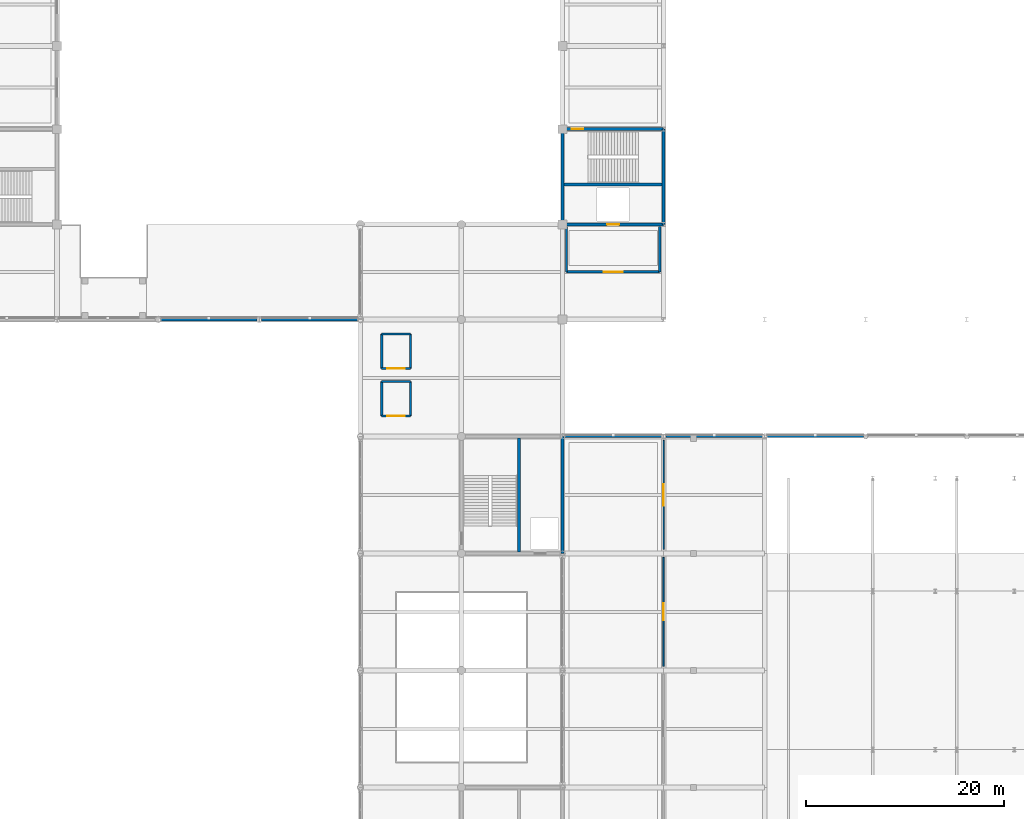
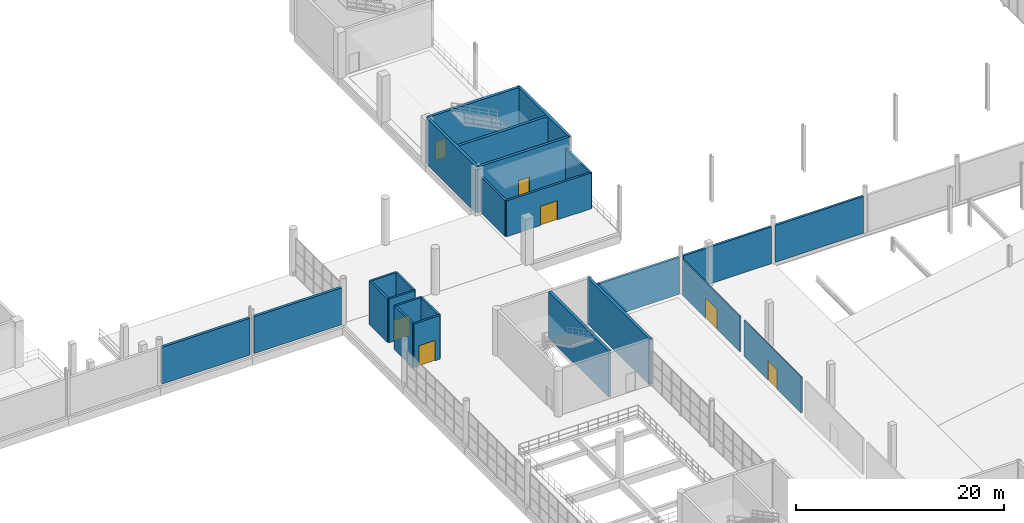
# One storey, part 135 of 175: 25 walls, 7 doors, 7 openings.
"""IFC4 building model written with IfcOpenShell, lengths in metres."""

from ifc_helpers import new_model, si_unit, direction, frame, frame_2d, origin, place, context, subcontext, project, spatial, rectangle, extrude, material, layer, layer_set, type_object, element, fill, save


model = new_model("IFC4")

# Units and contexts
model_context = context("Model", 3, precision=1e-05, world=origin(), true_north=direction((0.0, 1.0)))
body_context = subcontext(model_context, "Body", "Model", "MODEL_VIEW")
ifc_project = project(units=[si_unit("LENGTHUNIT", "METRE"), si_unit("AREAUNIT", "SQUARE_METRE"), si_unit("VOLUMEUNIT", "CUBIC_METRE"), si_unit("PLANEANGLEUNIT", "RADIAN"), si_unit("MASSUNIT", "GRAM", prefix="KILO")], contexts=[model_context])

# Site, building, storey
site_placement = place(None, origin())
site = spatial("IfcSite", under=ifc_project, at=site_placement, CompositionType="ELEMENT")
building_placement = place(site_placement, origin())
building = spatial("IfcBuilding", under=site, at=building_placement, Name="Brelvane Convention Centre", CompositionType="ELEMENT")
storey_placement = place(building_placement, frame((0.0, 0.0, 5.39990234375)))
storey = spatial("IfcBuildingStorey", under=building, at=storey_placement, Name="L01", CompositionType="ELEMENT", Elevation=5.39990234375)

# Walls
ifc_material_1 = material(Name="Concrete M40", Category="concrete")
ifc_layer_1 = layer(ifc_material_1, 0.2900390625)
ifc_layer_set_1 = layer_set([ifc_layer_1], Name="Concrete M40")
wall_type_1 = type_object("IfcWallType", Name="Exterior Wall EW-08", PredefinedType="SOLIDWALL", material=ifc_layer_set_1)
wall_1_placement = place(storey_placement, frame((122.639892578125, 99.60009765625, 0.0), z_axis=(0.0, 0.0, 1.0), x_axis=(1.0, 0.0, 0.0)))
element("IfcWall", 1, at=wall_1_placement, inside=storey, type_object=wall_type_1, Name="Exterior Wall L01 V1N-L01-13", PredefinedType="SOLIDWALL", context=body_context, shape_type="SweptSolid", body=[
    extrude(rectangle(XDim=9.72021484375, YDim=0.2900390625, at=frame_2d((4.860107421875, 0.0))), origin(), (0.0, 0.0, 1.0), 4.320068359375),
])
wall_2_placement = place(storey_placement, frame((132.840087890625, 99.60009765625, 0.0), z_axis=(0.0, 0.0, 1.0), x_axis=(1.0, 0.0, 0.0)))
element("IfcWall", 2, at=wall_2_placement, inside=storey, type_object=wall_type_1, Name="Exterior Wall L01 V1N-L01-14", PredefinedType="SOLIDWALL", context=body_context, shape_type="SweptSolid", body=[
    extrude(rectangle(XDim=9.719970703125, YDim=0.2900390625, at=frame_2d((4.85986328125, 0.0))), origin(), (0.0, 0.0, 1.0), 4.320068359375),
])
ifc_material_2 = material(Name="Concrete M40", Category="concrete")
ifc_layer_2 = layer(ifc_material_2, 0.25)
ifc_layer_set_2 = layer_set([ifc_layer_2], Name="Concrete M40")
wall_type_2 = type_object("IfcWallType", Name="Exterior Wall EW-09", PredefinedType="SOLIDWALL", material=ifc_layer_set_2)
wall_3_placement = place(storey_placement, frame((163.43994140625, 87.800048828125, 0.0), z_axis=(0.0, 0.0, 1.0), x_axis=(1.0, 0.0, 0.0)))
element("IfcWall", 3, at=wall_3_placement, inside=storey, type_object=wall_type_2, Name="Exterior Wall L01 V2N-L01-1", PredefinedType="SOLIDWALL", context=body_context, shape_type="SweptSolid", body=[
    extrude(rectangle(XDim=9.719970703125, YDim=0.25, at=frame_2d((4.85986328125, 0.0))), origin(), (0.0, 0.0, 1.0), 4.320068359375),
])
wall_4_placement = place(storey_placement, frame((173.639892578125, 87.800048828125, 0.0), z_axis=(0.0, 0.0, 1.0), x_axis=(1.0, 0.0, 0.0)))
element("IfcWall", 4, at=wall_4_placement, inside=storey, type_object=wall_type_2, Name="Exterior Wall L01 V2N-L01-2", PredefinedType="SOLIDWALL", context=body_context, shape_type="SweptSolid", body=[
    extrude(rectangle(XDim=9.72021484375, YDim=0.25, at=frame_2d((4.860107421875, 0.0))), origin(), (0.0, 0.0, 1.0), 4.320068359375),
])
wall_5_placement = place(storey_placement, frame((183.840087890625, 87.800048828125, 0.0), z_axis=(0.0, 0.0, 1.0), x_axis=(1.0, 0.0, 0.0)))
element("IfcWall", 5, at=wall_5_placement, inside=storey, type_object=wall_type_2, Name="Exterior Wall L01 V2N-L01-3", PredefinedType="SOLIDWALL", context=body_context, shape_type="SweptSolid", body=[
    extrude(rectangle(XDim=9.719970703125, YDim=0.25, at=frame_2d((4.85986328125, 0.0))), origin(), (0.0, 0.0, 1.0), 4.320068359375),
])

# Wall, opening, door
ifc_material_3 = material(Name="Concrete M40", Category="concrete")
ifc_layer_3 = layer(ifc_material_3, 0.219970703125)
ifc_layer_set_3 = layer_set([ifc_layer_3], Name="Concrete M40")
wall_type_3 = type_object("IfcWallType", Name="Interior Wall IW-FR-220", PredefinedType="PARTITIONING", material=ifc_layer_set_3)
wall_6_placement = place(storey_placement, frame((144.949951171875, 89.85009765625, 0.0), z_axis=(0.0, 0.0, 1.0), x_axis=(1.0, 0.0, 0.0)))
wall_6 = element("IfcWall", 6, at=wall_6_placement, inside=storey, type_object=wall_type_3, Name="Lift LG-01 Shaft Wall S (L01)", PredefinedType="PARTITIONING", context=body_context, shape_type="SweptSolid", body=[
    extrude(rectangle(XDim=2.900146484375, YDim=0.219970703125, at=frame_2d((1.4501953125, 0.0))), origin(), (0.0, 0.0, 1.0), 5.1201171875),
])
opening_1_placement = place(wall_6_placement, frame((0.550048828125, 0.0, 0.0)))
opening_1 = element("IfcOpeningElement", 7, at=opening_1_placement, cuts=wall_6, Name="Opening LD-04", PredefinedType="OPENING", context=body_context, shape_type="SweptSolid", body=[
    extrude(rectangle(XDim=1.800048828125, YDim=2.39990234375, at=frame_2d((0.89990234375, 1.199951171875))), frame((0.0, 0.119873046875, 0.0), z_axis=(0.0, -1.0, 0.0), x_axis=(1.0, 0.0, 0.0)), (0.0, 0.0, 1.0), 0.239990234375),
])
ifc_material_4 = material(Name="Galvanised Hollow-Metal Fire Door Steel E250", Category="steel")
door_type_1 = type_object("IfcDoorType", Name="Interior Door LD-04", OperationType="NOTDEFINED", PredefinedType="DOOR", material=ifc_material_4)
door_1_placement = place(opening_1_placement, origin())
door_1 = element("IfcDoor", 8, at=door_1_placement, inside=storey, type_object=door_type_1, Name="Lift LG-01 Landing Door (L01)", OperationType="DOUBLE_DOOR_SLIDING", OverallHeight=2.39990234375, OverallWidth=1.800048828125, PredefinedType="DOOR", context=body_context, shape_type="SweptSolid", body=[
    extrude(rectangle(XDim=1.800048828125, YDim=2.39990234375, at=frame_2d((0.89990234375, 1.199951171875))), frame((0.0, 0.02490234375, 0.0), z_axis=(0.0, -1.0, 0.0), x_axis=(1.0, 0.0, 0.0)), (0.0, 0.0, 1.0), 0.050048828125),
])
fill(opening_1, door_1)

# Walls
wall_7_placement = place(storey_placement, frame((144.949951171875, 93.35009765625, 0.0), z_axis=(0.0, 0.0, 1.0), x_axis=(1.0, 0.0, 0.0)))
element("IfcWall", 9, at=wall_7_placement, inside=storey, type_object=wall_type_3, Name="Lift LG-01 Shaft Wall N (L01)", PredefinedType="PARTITIONING", context=body_context, shape_type="SweptSolid", body=[
    extrude(rectangle(XDim=2.900146484375, YDim=0.219970703125, at=frame_2d((1.4501953125, 0.0))), origin(), (0.0, 0.0, 1.0), 5.1201171875),
])
for number, where, z_axis, x_axis, name in (
    (10, (144.949951171875, 89.85009765625, 0.0), (0.0, 0.0, 1.0), (0.0, 1.0, 0.0), "Lift LG-01 Shaft Wall W (L01)"),
    (11, (147.85009765625, 89.85009765625, 0.0), (0.0, 0.0, 1.0), (0.0, 1.0, 0.0), "Lift LG-01 Shaft Wall E (L01)"),
):
    element("IfcWall", number, at=place(storey_placement, frame(where, z_axis=z_axis, x_axis=x_axis)), inside=storey, type_object=wall_type_3, Name=name, PredefinedType="PARTITIONING", context=body_context, shape_type="SweptSolid", body=[
        extrude(rectangle(XDim=3.5, YDim=0.219970703125, at=frame_2d((1.75, 0.0))), origin(), (0.0, 0.0, 1.0), 5.1201171875),
    ])

# Wall, opening, door
wall_8_placement = place(storey_placement, frame((144.949951171875, 94.64990234375, 0.0), z_axis=(0.0, 0.0, 1.0), x_axis=(1.0, 0.0, 0.0)))
wall_8 = element("IfcWall", 12, at=wall_8_placement, inside=storey, type_object=wall_type_3, Name="Lift LG-02 Shaft Wall S (L01)", PredefinedType="PARTITIONING", context=body_context, shape_type="SweptSolid", body=[
    extrude(rectangle(XDim=2.900146484375, YDim=0.219970703125, at=frame_2d((1.4501953125, 0.0))), origin(), (0.0, 0.0, 1.0), 5.1201171875),
])
opening_2_placement = place(wall_8_placement, frame((0.550048828125, 0.0, 0.0)))
opening_2 = element("IfcOpeningElement", 13, at=opening_2_placement, cuts=wall_8, Name="Opening LD-04", PredefinedType="OPENING", context=body_context, shape_type="SweptSolid", body=[
    extrude(rectangle(XDim=1.800048828125, YDim=2.39990234375, at=frame_2d((0.89990234375, 1.199951171875))), frame((0.0, 0.119873046875, 0.0), z_axis=(0.0, -1.0, 0.0), x_axis=(1.0, 0.0, 0.0)), (0.0, 0.0, 1.0), 0.239990234375),
])
door_2_placement = place(opening_2_placement, origin())
door_2 = element("IfcDoor", 14, at=door_2_placement, inside=storey, type_object=door_type_1, Name="Lift LG-02 Landing Door (L01)", OperationType="DOUBLE_DOOR_SLIDING", OverallHeight=2.39990234375, OverallWidth=1.800048828125, PredefinedType="DOOR", context=body_context, shape_type="SweptSolid", body=[
    extrude(rectangle(XDim=1.800048828125, YDim=2.39990234375, at=frame_2d((0.89990234375, 1.199951171875))), frame((0.0, 0.02490234375, 0.0), z_axis=(0.0, -1.0, 0.0), x_axis=(1.0, 0.0, 0.0)), (0.0, 0.0, 1.0), 0.050048828125),
])
fill(opening_2, door_2)

# Walls
wall_9_placement = place(storey_placement, frame((144.949951171875, 98.14990234375, 0.0), z_axis=(0.0, 0.0, 1.0), x_axis=(1.0, 0.0, 0.0)))
element("IfcWall", 15, at=wall_9_placement, inside=storey, type_object=wall_type_3, Name="Lift LG-02 Shaft Wall N (L01)", PredefinedType="PARTITIONING", context=body_context, shape_type="SweptSolid", body=[
    extrude(rectangle(XDim=2.900146484375, YDim=0.219970703125, at=frame_2d((1.4501953125, 0.0))), origin(), (0.0, 0.0, 1.0), 5.1201171875),
])
for number, where, z_axis, x_axis, name in (
    (16, (144.949951171875, 94.64990234375, 0.0), (0.0, 0.0, 1.0), (0.0, 1.0, 0.0), "Lift LG-02 Shaft Wall W (L01)"),
    (17, (147.85009765625, 94.64990234375, 0.0), (0.0, 0.0, 1.0), (0.0, 1.0, 0.0), "Lift LG-02 Shaft Wall E (L01)"),
):
    element("IfcWall", number, at=place(storey_placement, frame(where, z_axis=z_axis, x_axis=x_axis)), inside=storey, type_object=wall_type_3, Name=name, PredefinedType="PARTITIONING", context=body_context, shape_type="SweptSolid", body=[
        extrude(rectangle(XDim=3.5, YDim=0.219970703125, at=frame_2d((1.75, 0.0))), origin(), (0.0, 0.0, 1.0), 5.1201171875),
    ])

# Wall, opening, door
ifc_material_5 = material(Name="Concrete M40", Category="concrete")
ifc_layer_4 = layer(ifc_material_5, 0.239990234375)
ifc_layer_set_4 = layer_set([ifc_layer_4], Name="Concrete M40")
wall_type_4 = type_object("IfcWallType", Name="Interior Wall IW-FR-240", PredefinedType="PARTITIONING", material=ifc_layer_set_4)
wall_10_placement = place(storey_placement, frame((163.60009765625, 104.39990234375, 0.0), z_axis=(0.0, 0.0, 1.0), x_axis=(1.0, 0.0, 0.0)))
wall_10 = element("IfcWall", 18, at=wall_10_placement, inside=storey, type_object=wall_type_4, Name="Firefighting Lobby C5 Wall S (L01)", PredefinedType="PARTITIONING", context=body_context, shape_type="SweptSolid", body=[
    extrude(rectangle(XDim=9.39990234375, YDim=0.239990234375, at=frame_2d((4.699951171875, 0.0))), origin(), (0.0, 0.0, 1.0), 4.2001953125),
])
opening_3_placement = place(wall_10_placement, frame((3.75, 0.0, 0.0)))
opening_3 = element("IfcOpeningElement", 19, at=opening_3_placement, cuts=wall_10, Name="Opening DR-FL-01", PredefinedType="OPENING", context=body_context, shape_type="SweptSolid", body=[
    extrude(rectangle(XDim=1.89990234375, YDim=2.25, at=frame_2d((0.949951171875, 1.125))), frame((0.0, 0.1298828125, 0.0), z_axis=(0.0, -1.0, 0.0), x_axis=(1.0, 0.0, 0.0)), (0.0, 0.0, 1.0), 0.260009765625),
])
ifc_material_6 = material(Name="Galvanised Hollow-Metal Fire Door Steel E250", Category="steel")
door_type_2 = type_object("IfcDoorType", Name="Interior Door DR-FL-01", OperationType="NOTDEFINED", PredefinedType="DOOR", material=ifc_material_6)
door_3_placement = place(opening_3_placement, origin())
door_3 = element("IfcDoor", 20, at=door_3_placement, inside=storey, type_object=door_type_2, Name="Firefighting Lobby C5 Smoke Door (L01)", OperationType="DOUBLE_DOOR_SINGLE_SWING", OverallHeight=2.25, OverallWidth=1.89990234375, PredefinedType="DOOR", context=body_context, shape_type="SweptSolid", body=[
    extrude(rectangle(XDim=1.89990234375, YDim=2.25, at=frame_2d((0.949951171875, 1.125))), frame((0.0, 0.02490234375, 0.0), z_axis=(0.0, -1.0, 0.0), x_axis=(1.0, 0.0, 0.0)), (0.0, 0.0, 1.0), 0.050048828125),
])
fill(opening_3, door_3)

# Walls
for number, where, z_axis, x_axis, name in (
    (21, (163.60009765625, 104.39990234375, 0.0), (0.0, 0.0, 1.0), (0.0, 1.0, 0.0), "Firefighting Lobby C5 Wall W (L01)"),
    (22, (173.0, 104.39990234375, 0.0), (0.0, 0.0, 1.0), (0.0, 1.0, 0.0), "Firefighting Lobby C5 Wall E (L01)"),
):
    element("IfcWall", number, at=place(storey_placement, frame(where, z_axis=z_axis, x_axis=x_axis)), inside=storey, type_object=wall_type_4, Name=name, PredefinedType="PARTITIONING", context=body_context, shape_type="SweptSolid", body=[
        extrude(rectangle(XDim=4.60009765625, YDim=0.239990234375, at=frame_2d((2.300048828125, 0.0))), origin(), (0.0, 0.0, 1.0), 4.2001953125),
    ])

# Wall, opening, door
ifc_material_7 = material(Name="Fire-Rated Acoustic Gypsum Partition Board Grade A")
ifc_layer_5 = layer(ifc_material_7, 0.125)
ifc_layer_set_5 = layer_set([ifc_layer_5], Name="Fire-Rated Acoustic Gypsum Partition Board Grade A")
wall_type_5 = type_object("IfcWallType", Name="Interior Wall IW-PT-125", PredefinedType="PARTITIONING", material=ifc_layer_set_5)
wall_11_placement = place(storey_placement, frame((173.39990234375, 76.39990234375, 0.0), z_axis=(0.0, 0.0, 1.0), x_axis=(0.0, 1.0, 0.0)))
wall_11 = element("IfcWall", 23, at=wall_11_placement, inside=storey, type_object=wall_type_5, Name="Interior Partition L01-PLEN-W4", PredefinedType="PARTITIONING", context=body_context, shape_type="SweptSolid", body=[
    extrude(rectangle(XDim=11.0, YDim=0.125, at=frame_2d((5.5, 0.0))), origin(), (0.0, 0.0, 1.0), 4.2001953125),
])
opening_4_placement = place(wall_11_placement, frame((4.39990234375, 0.0, 0.0)))
opening_4 = element("IfcOpeningElement", 24, at=opening_4_placement, cuts=wall_11, Name="Opening DR-IN-07", PredefinedType="OPENING", context=body_context, shape_type="SweptSolid", body=[
    extrude(rectangle(XDim=2.199951171875, YDim=2.35009765625, at=frame_2d((1.10009765625, 1.175048828125))), frame((0.0, 0.072509765625, 0.0), z_axis=(0.0, -1.0, 0.0), x_axis=(1.0, 0.0, 0.0)), (0.0, 0.0, 1.0), 0.14501953125),
])
ifc_material_8 = material(Name="Solid-Core Fire-Rated Hardwood Leaf Grade 1", Category="wood")
door_type_3 = type_object("IfcDoorType", Name="Interior Door DR-IN-07", OperationType="NOTDEFINED", PredefinedType="DOOR", material=ifc_material_8)
door_4_placement = place(opening_4_placement, origin())
door_4 = element("IfcDoor", 25, at=door_4_placement, inside=storey, type_object=door_type_3, Name="Interior Door L01-PLEN-W4 (DR-IN-07)", OperationType="DOUBLE_DOOR_SINGLE_SWING", OverallHeight=2.35009765625, OverallWidth=2.199951171875, PredefinedType="DOOR", context=body_context, shape_type="SweptSolid", body=[
    extrude(rectangle(XDim=2.199951171875, YDim=2.35009765625, at=frame_2d((1.10009765625, 1.175048828125))), frame((0.0, 0.02490234375, 0.0), z_axis=(0.0, -1.0, 0.0), x_axis=(1.0, 0.0, 0.0)), (0.0, 0.0, 1.0), 0.050048828125),
])
fill(opening_4, door_4)

ifc_material_9 = material(Name="Fire-Rated Acoustic Gypsum Partition Board Grade A")
ifc_layer_6 = layer(ifc_material_9, 0.135009765625)
ifc_layer_set_6 = layer_set([ifc_layer_6], Name="Fire-Rated Acoustic Gypsum Partition Board Grade A")
wall_type_6 = type_object("IfcWallType", Name="Interior Wall IW-PT-135", PredefinedType="PARTITIONING", material=ifc_layer_set_6)
wall_12_placement = place(storey_placement, frame((173.39990234375, 64.60009765625, 0.0), z_axis=(0.0, 0.0, 1.0), x_axis=(0.0, 1.0, 0.0)))
wall_12 = element("IfcWall", 26, at=wall_12_placement, inside=storey, type_object=wall_type_6, Name="Interior Partition L01-PLEN-W3", PredefinedType="PARTITIONING", context=body_context, shape_type="SweptSolid", body=[
    extrude(rectangle(XDim=11.0, YDim=0.135009765625, at=frame_2d((5.5, 0.0))), origin(), (0.0, 0.0, 1.0), 4.2001953125),
])
opening_5_placement = place(wall_12_placement, frame((4.64990234375, 0.0, 0.0)))
opening_5 = element("IfcOpeningElement", 27, at=opening_5_placement, cuts=wall_12, Name="Opening DR-IN-06", PredefinedType="OPENING", context=body_context, shape_type="SweptSolid", body=[
    extrude(rectangle(XDim=1.699951171875, YDim=2.300048828125, at=frame_2d((0.85009765625, 1.14990234375))), frame((0.0, 0.077392578125, 0.0), z_axis=(0.0, -1.0, 0.0), x_axis=(1.0, 0.0, 0.0)), (0.0, 0.0, 1.0), 0.155029296875),
])
ifc_material_10 = material(Name="Solid-Core Fire-Rated Hardwood Leaf Grade 1", Category="wood")
door_type_4 = type_object("IfcDoorType", Name="Interior Door DR-IN-06", OperationType="NOTDEFINED", PredefinedType="DOOR", material=ifc_material_10)
door_5_placement = place(opening_5_placement, origin())
door_5 = element("IfcDoor", 28, at=door_5_placement, inside=storey, type_object=door_type_4, Name="Interior Door L01-PLEN-W3 (DR-IN-06)", OperationType="DOUBLE_DOOR_SINGLE_SWING", OverallHeight=2.300048828125, OverallWidth=1.699951171875, PredefinedType="DOOR", context=body_context, shape_type="SweptSolid", body=[
    extrude(rectangle(XDim=1.699951171875, YDim=2.300048828125, at=frame_2d((0.85009765625, 1.14990234375))), frame((0.0, 0.02490234375, 0.0), z_axis=(0.0, -1.0, 0.0), x_axis=(1.0, 0.0, 0.0)), (0.0, 0.0, 1.0), 0.050048828125),
])
fill(opening_5, door_5)

# Wall
ifc_material_11 = material(Name="Concrete M50", Category="concrete")
ifc_layer_7 = layer(ifc_material_11, 0.300048828125)
ifc_layer_set_7 = layer_set([ifc_layer_7], Name="Concrete M50")
wall_type_7 = type_object("IfcWallType", Name="Structural Wall WL-CORE-300", PredefinedType="SHEAR", material=ifc_layer_set_7)
wall_13_placement = place(storey_placement, frame((163.199951171875, 76.0, 0.0), z_axis=(0.0, 0.0, 1.0), x_axis=(0.0, 1.0, 0.0)))
element("IfcWall", 29, at=wall_13_placement, inside=storey, type_object=wall_type_7, Name="Core C4 Shear Wall E (L01)", PredefinedType="SHEAR", context=body_context, shape_type="SweptSolid", body=[
    extrude(rectangle(XDim=11.800048828125, YDim=0.300048828125, at=frame_2d((5.89990234375, 0.0))), origin(), (0.0, 0.0, 1.0), 5.400146484375),
])

# Wall, opening, door
wall_14_placement = place(storey_placement, frame((163.199951171875, 109.199951171875, 0.0), z_axis=(0.0, 0.0, 1.0), x_axis=(1.0, 0.0, 0.0)))
wall_14 = element("IfcWall", 30, at=wall_14_placement, inside=storey, type_object=wall_type_7, Name="Core C5 Shear Wall S (L01)", PredefinedType="SHEAR", context=body_context, shape_type="SweptSolid", body=[
    extrude(rectangle(XDim=10.199951171875, YDim=0.300048828125, at=frame_2d((5.10009765625, 0.0))), origin(), (0.0, 0.0, 1.0), 5.400146484375),
])
opening_6_placement = place(wall_14_placement, frame((4.5, 0.0, 0.0)))
opening_6 = element("IfcOpeningElement", 31, at=opening_6_placement, cuts=wall_14, Name="Opening LD-01", PredefinedType="OPENING", context=body_context, shape_type="SweptSolid", body=[
    extrude(rectangle(XDim=1.199951171875, YDim=2.25, at=frame_2d((0.60009765625, 1.125))), frame((0.0, 0.159912109375, 0.0), z_axis=(0.0, -1.0, 0.0), x_axis=(1.0, 0.0, 0.0)), (0.0, 0.0, 1.0), 0.320068359375),
])
ifc_material_12 = material(Name="Galvanised Hollow-Metal Fire Door Steel E250", Category="steel")
door_type_5 = type_object("IfcDoorType", Name="Interior Door LD-01", OperationType="NOTDEFINED", PredefinedType="DOOR", material=ifc_material_12)
door_6_placement = place(opening_6_placement, origin())
door_6 = element("IfcDoor", 32, at=door_6_placement, inside=storey, type_object=door_type_5, Name="Lift LF-03 Landing Door (L01)", OperationType="SLIDING_TO_LEFT", OverallHeight=2.25, OverallWidth=1.199951171875, PredefinedType="DOOR", context=body_context, shape_type="SweptSolid", body=[
    extrude(rectangle(XDim=1.199951171875, YDim=2.25, at=frame_2d((0.60009765625, 1.125))), frame((0.0, 0.02490234375, 0.0), z_axis=(0.0, -1.0, 0.0), x_axis=(1.0, 0.0, 0.0)), (0.0, 0.0, 1.0), 0.050048828125),
])
fill(opening_6, door_6)

wall_15_placement = place(storey_placement, frame((163.199951171875, 118.800048828125, 0.0), z_axis=(0.0, 0.0, 1.0), x_axis=(1.0, 0.0, 0.0)))
wall_15 = element("IfcWall", 33, at=wall_15_placement, inside=storey, type_object=wall_type_7, Name="Core C5 Shear Wall N (L01)", PredefinedType="SHEAR", context=body_context, shape_type="SweptSolid", body=[
    extrude(rectangle(XDim=10.199951171875, YDim=0.300048828125, at=frame_2d((5.10009765625, 0.0))), origin(), (0.0, 0.0, 1.0), 5.400146484375),
])
opening_7_placement = place(wall_15_placement, frame((0.919921875, 0.0, 0.0)))
opening_7 = element("IfcOpeningElement", 34, at=opening_7_placement, cuts=wall_15, Name="Opening DR-IN-04L", PredefinedType="OPENING", context=body_context, shape_type="SweptSolid", body=[
    extrude(rectangle(XDim=1.159912109375, YDim=2.199951171875, at=frame_2d((0.580078125, 1.10009765625))), frame((0.0, 0.159912109375, 0.0), z_axis=(0.0, -1.0, 0.0), x_axis=(1.0, 0.0, 0.0)), (0.0, 0.0, 1.0), 0.320068359375),
])
ifc_material_13 = material(Name="Galvanised Hollow-Metal Fire Door Steel E250", Category="steel")
door_type_6 = type_object("IfcDoorType", Name="Interior Door DR-IN-04L", OperationType="NOTDEFINED", PredefinedType="DOOR", material=ifc_material_13)
door_7_placement = place(opening_7_placement, origin())
door_7 = element("IfcDoor", 35, at=door_7_placement, inside=storey, type_object=door_type_6, Name="Stair ST-05 Door (L01)", OperationType="SINGLE_SWING_LEFT", OverallHeight=2.199951171875, OverallWidth=1.159912109375, PredefinedType="DOOR", context=body_context, shape_type="SweptSolid", body=[
    extrude(rectangle(XDim=1.159912109375, YDim=2.199951171875, at=frame_2d((0.580078125, 1.10009765625))), frame((0.0, 0.02490234375, 0.0), z_axis=(0.0, -1.0, 0.0), x_axis=(1.0, 0.0, 0.0)), (0.0, 0.0, 1.0), 0.050048828125),
])
fill(opening_7, door_7)

# Walls
for number, where, z_axis, x_axis, name in (
    (36, (163.199951171875, 109.199951171875, 0.0), (0.0, 0.0, 1.0), (0.0, 1.0, 0.0), "Core C5 Shear Wall W (L01)"),
    (37, (173.39990234375, 109.199951171875, 0.0), (0.0, 0.0, 1.0), (0.0, 1.0, 0.0), "Core C5 Shear Wall E (L01)"),
):
    element("IfcWall", number, at=place(storey_placement, frame(where, z_axis=z_axis, x_axis=x_axis)), inside=storey, type_object=wall_type_7, Name=name, PredefinedType="SHEAR", context=body_context, shape_type="SweptSolid", body=[
        extrude(rectangle(XDim=9.60009765625, YDim=0.300048828125, at=frame_2d((4.800048828125, 0.0))), origin(), (0.0, 0.0, 1.0), 5.400146484375),
    ])
wall_16_placement = place(storey_placement, frame((158.800048828125, 76.14990234375, 0.0), z_axis=(0.0, 0.0, 1.0), x_axis=(0.0, 1.0, 0.0)))
element("IfcWall", 38, at=wall_16_placement, inside=storey, type_object=wall_type_7, Name="Core C4 Shaft Divider Wall (L01)", PredefinedType="SHEAR", context=body_context, shape_type="SweptSolid", body=[
    extrude(rectangle(XDim=11.5, YDim=0.300048828125, at=frame_2d((5.75, 0.0))), origin(), (0.0, 0.0, 1.0), 5.400146484375),
])
wall_17_placement = place(storey_placement, frame((163.35009765625, 113.199951171875, 0.0), z_axis=(0.0, 0.0, 1.0), x_axis=(1.0, 0.0, 0.0)))
element("IfcWall", 39, at=wall_17_placement, inside=storey, type_object=wall_type_7, Name="Core C5 Shaft Divider Wall (L01)", PredefinedType="SHEAR", context=body_context, shape_type="SweptSolid", body=[
    extrude(rectangle(XDim=9.89990234375, YDim=0.300048828125, at=frame_2d((4.949951171875, 0.0))), origin(), (0.0, 0.0, 1.0), 5.400146484375),
])

save(model, "model.ifc")
